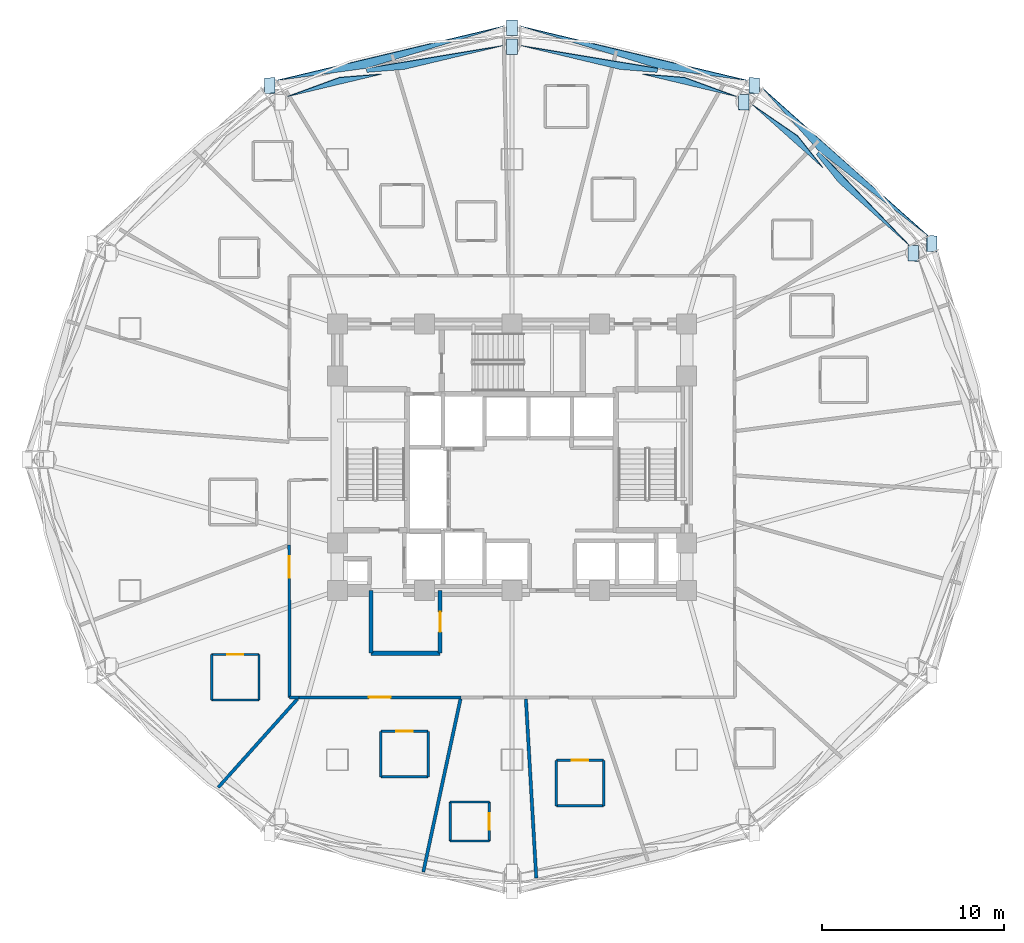
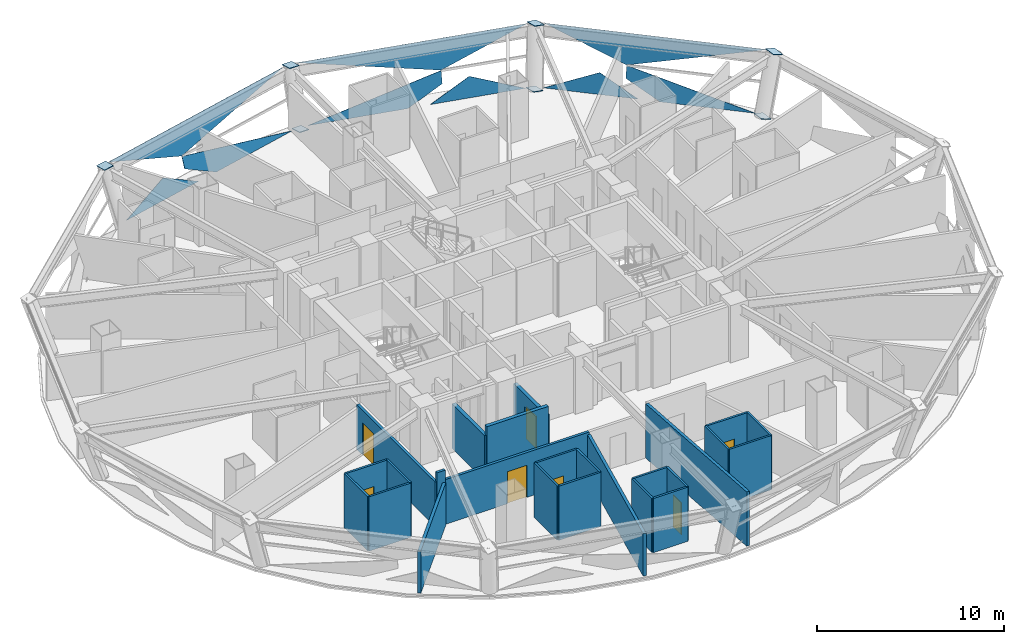
# One storey, part 4 of 12: 25 walls, 16 plates, 7 doors, 7 openings, 3 elements without a shape of their own.
"""IFC4 building model written with IfcOpenShell, lengths in metres."""

from ifc_helpers import new_model, si_unit, direction, frame, frame_2d, origin, place, context, subcontext, project, spatial, polyline, rectangle, outline, extrude, material, layer, layer_set, type_object, element, fill, aggregate, save


model = new_model("IFC4")

# Units and contexts
model_context = context("Model", 3, precision=1e-05, world=origin(), true_north=direction((0.0, 1.0)))
body_context = subcontext(model_context, "Body", "Model", "MODEL_VIEW")
ifc_project = project(units=[si_unit("LENGTHUNIT", "METRE"), si_unit("AREAUNIT", "SQUARE_METRE"), si_unit("VOLUMEUNIT", "CUBIC_METRE"), si_unit("PLANEANGLEUNIT", "RADIAN"), si_unit("MASSUNIT", "GRAM", prefix="KILO")], contexts=[model_context])

# Site, building, storey
site_placement = place(None, origin())
site = spatial("IfcSite", under=ifc_project, at=site_placement, CompositionType="ELEMENT")
building_placement = place(site_placement, origin())
building = spatial("IfcBuilding", under=site, at=building_placement, Name="Vantalir Tower", CompositionType="ELEMENT")
storey_placement = place(building_placement, frame((0.0, 0.0, 38.25)))
storey = spatial("IfcBuildingStorey", under=building, at=storey_placement, Name="L08", CompositionType="ELEMENT", Elevation=38.25)

# Curtain wall, plates
ifc_material_1 = material(Name="Champagne-silver PVDF aluminium and double-silver Low-E glass", Category="aluminium")
ifc_layer_1 = layer(ifc_material_1, 0.18994140625)
ifc_layer_set_1 = layer_set([ifc_layer_1], Name="Champagne-silver PVDF aluminium and double-silver Low-E glass")
curtain_wall_type = type_object("IfcCurtainWallType", Name="CW-DIAMOND-Z1", PredefinedType="USERDEFINED", material=ifc_layer_set_1)
curtain_wall_1_placement = place(storey_placement, origin())
curtain_wall_1 = element("IfcCurtainWall", 1, at=curtain_wall_1_placement, inside=storey, type_object=curtain_wall_type, Name="L08 Quilted Pyramid-Diamond Curtain Wall S02", ObjectType="UNITISED CURTAIN WALL", PredefinedType="USERDEFINED")
ifc_material_2 = material(Name="Double-silver Low-E laminated glass IGU", Category="glass")
ifc_layer_2 = layer(ifc_material_2, 0.028076171875)
ifc_layer_set_2 = layer_set([ifc_layer_2], Name="Double-silver Low-E laminated glass IGU")
plate_type_1 = type_object("IfcPlateType", Name="CWP-IGU-28", PredefinedType="CURTAIN_PANEL", material=ifc_layer_set_2)
plate_1_placement = place(storey_placement, frame((53.34326171875, 36.75, 0.04638671875), z_axis=(-0.632839382096, -0.710007189089, 0.308875554082), x_axis=(-0.746508957015, 0.665375365553, 3.321398e-06)))
plate_1 = element("IfcPlate", 2, at=plate_1_placement, type_object=plate_type_1, Name="CW-L08-S02 Pyramid Diamond Facet 1L", PredefinedType="CURTAIN_PANEL", context=body_context, shape_type="SweptSolid", body=[
    extrude(outline(polyline([(0.0, 0.0), (5.21573136421315, 0.0), (7.159529719141904, -1.0901469576741945), (7.159612707653873, -1.8160908372913154), (0.0, 0.0)])), origin(), (0.0, 0.0, -1.0), 0.028076171875),
])
plate_2_placement = place(storey_placement, frame((48.570068359375, 41.04541015625, 0.03662109375), z_axis=(-0.632834425064, -0.710017007397, 0.308863140664), x_axis=(-0.746516833701, 0.665366528314, 0.0)))
plate_2 = element("IfcPlate", 3, at=plate_2_placement, type_object=plate_type_1, Name="CW-L08-S02 Pyramid Diamond Facet 1L Infill Light", PredefinedType="CURTAIN_PANEL", context=body_context, shape_type="SweptSolid", body=[
    extrude(outline(polyline([(0.0, 0.0), (5.180635540997862, 1.1102230246251565e-16), (2.184001760179632, -1.2249301960583048), (0.0, 0.0)])), origin(), (0.0, 0.0, -1.0), 0.028076171875),
])
plate_3_placement = place(storey_placement, frame((45.276611328125, 45.388916015625, 3.5234375), z_axis=(-0.637842376536, -0.715537949373, 0.284890409986), x_axis=(0.746475626952, -0.665412757591, 2.0035311e-05)))
plate_3 = element("IfcPlate", 4, at=plate_3_placement, type_object=plate_type_1, Name="CW-L08-S02 Pyramid Diamond Facet 2U", PredefinedType="CURTAIN_PANEL", context=body_context, shape_type="SweptSolid", body=[
    extrude(outline(polyline([(0.0, 0.0), (12.185516951692836, 2.358681826242215e-16), (4.610911228247973, -1.8020646943755352), (0.0, 0.0)])), origin(), (0.0, 0.0, -1.0), 0.028076171875),
])
aggregate(curtain_wall_1, [plate_1, plate_2, plate_3])

curtain_wall_2_placement = place(storey_placement, origin())
curtain_wall_2 = element("IfcCurtainWall", 5, at=curtain_wall_2_placement, inside=storey, type_object=curtain_wall_type, Name="L08 Quilted Pyramid-Diamond Curtain Wall S03", ObjectType="UNITISED CURTAIN WALL", PredefinedType="USERDEFINED")
plate_4_placement = place(storey_placement, frame((37.4306640625, 46.43798828125, 0.04638671875), z_axis=(-0.221840435421, -0.928907027377, 0.296510633372), x_axis=(-0.97264740737, 0.232286506145, 1.46911e-07)))
plate_4 = element("IfcPlate", 6, at=plate_4_placement, type_object=plate_type_1, Name="CW-L08-S03 Pyramid Diamond Facet 1L", PredefinedType="CURTAIN_PANEL", context=body_context, shape_type="SweptSolid", body=[
    extrude(outline(polyline([(0.0, 0.0), (5.612501457910148, -5.551115123125783e-17), (-2.0212571770758245, -1.8091414001796593), (-2.0214194503485765, -1.0660063095685186), (0.0, 0.0)])), origin(), (0.0, 0.0, -1.0), 0.028076171875),
])
plate_5_placement = place(storey_placement, frame((43.85546875, 44.934814453125, 0.037109375), z_axis=(-0.221858346166, -0.928861351209, 0.296640294747), x_axis=(-0.972643901488, 0.232301181234, -4.5773632e-05)))
plate_5 = element("IfcPlate", 7, at=plate_5_placement, type_object=plate_type_1, Name="CW-L08-S03 Pyramid Diamond Facet 1L Infill Light", PredefinedType="CURTAIN_PANEL", context=body_context, shape_type="SweptSolid", body=[
    extrude(outline(polyline([(0.0, 0.0), (5.333652051576559, 3.2607380337501546e-17), (3.048711127607468, -1.205012804781245), (0.0, 0.0)])), origin(), (0.0, 0.0, -1.0), 0.028076171875),
])
plate_6_placement = place(storey_placement, frame((31.9716796875, 48.802978515625, 3.523681640625), z_axis=(-0.223516204784, -0.935855604385, 0.272423923214), x_axis=(0.972642333461, -0.232307750187, -1.9040058e-05)))
plate_6 = element("IfcPlate", 8, at=plate_6_placement, type_object=plate_type_1, Name="CW-L08-S03 Pyramid Diamond Facet 2U", PredefinedType="CURTAIN_PANEL", context=body_context, shape_type="SweptSolid", body=[
    extrude(outline(polyline([(0.0, 0.0), (12.822472617576965, -1.169583093568738e-16), (7.880511088236948, -1.795291752713151), (0.0, 0.0)])), origin(), (0.0, 0.0, -1.0), 0.028076171875),
])
aggregate(curtain_wall_2, [plate_4, plate_5, plate_6])

curtain_wall_3_placement = place(storey_placement, origin())
curtain_wall_3 = element("IfcCurtainWall", 9, at=curtain_wall_3_placement, inside=storey, type_object=curtain_wall_type, Name="L08 Quilted Pyramid-Diamond Curtain Wall S04", ObjectType="UNITISED CURTAIN WALL", PredefinedType="USERDEFINED")
plate_7_placement = place(storey_placement, frame((31.0283203125, 47.74169921875, 0.04638671875), z_axis=(0.221847965023, -0.928902365925, 0.296519603052), x_axis=(-0.972645336072, -0.232295179066, -5.15754e-07)))
plate_7 = element("IfcPlate", 10, at=plate_7_placement, type_object=plate_type_1, Name="CW-L08-S04 Pyramid Diamond Facet 1L", PredefinedType="CURTAIN_PANEL", context=body_context, shape_type="SweptSolid", body=[
    extrude(outline(polyline([(0.0, 0.0), (5.612263995469766, 5.551115123125783e-17), (7.633680251756339, -1.0660123662604717), (7.633515751932567, -1.8091474563231686), (0.0, 0.0)])), origin(), (0.0, 0.0, -1.0), 0.028076171875),
])
plate_8_placement = place(storey_placement, frame((24.332763671875, 46.174072265625, 0.036865234375), z_axis=(0.221886907759, -0.928885369005, 0.296543709111), x_axis=(-0.972638499621, -0.23232379766, 4.576907e-05)))
plate_8 = element("IfcPlate", 11, at=plate_8_placement, type_object=plate_type_1, Name="CW-L08-S04 Pyramid Diamond Facet 1L Infill Light", PredefinedType="CURTAIN_PANEL", context=body_context, shape_type="SweptSolid", body=[
    extrude(outline(polyline([(0.0, 0.0), (5.334183690954207, 1.9109063290057016e-17), (2.28522678658751, -1.204974953713183), (0.0, 0.0)])), origin(), (0.0, 0.0, -1.0), 0.028076171875),
])
plate_9_placement = place(storey_placement, frame((18.557861328125, 45.82421875, 3.5234375), z_axis=(0.223540892371, -0.93586735552, 0.272363291049), x_axis=(0.972637195084, 0.232329262852, 1.9041821e-05)))
plate_9 = element("IfcPlate", 12, at=plate_9_placement, type_object=plate_type_1, Name="CW-L08-S04 Pyramid Diamond Facet 2U", PredefinedType="CURTAIN_PANEL", context=body_context, shape_type="SweptSolid", body=[
    extrude(outline(polyline([(0.0, 0.0), (12.821285313177071, 9.503032041835446e-17), (4.941000866685126, -1.795259715985767), (0.0, 0.0)])), origin(), (0.0, 0.0, -1.0), 0.028076171875),
])
aggregate(curtain_wall_3, [plate_7, plate_8, plate_9])

# Plates
ifc_material_3 = material(Name="Steel S460", Category="steel")
ifc_layer_3 = layer(ifc_material_3, 0.035888671875)
ifc_layer_set_3 = layer_set([ifc_layer_3], Name="Steel S460")
plate_type_2 = type_object("IfcPlateType", Name="PLT-KN-Z2", PredefinedType="USERDEFINED", material=ifc_layer_set_3)
plate_10_placement = place(storey_placement, frame((54.298828125, 37.31396484375, 3.610595703125), z_axis=(0.27434706002, 0.141500844937, 0.95116307831), x_axis=(3.6190907e-05, -0.989116189458, 0.147136543534)))
element("IfcPlate", 13, at=plate_10_placement, inside=storey, type_object=plate_type_2, Name="L08 Ring Column Top Cap RC02", ObjectType="FLANGE_PLATE", PredefinedType="USERDEFINED", context=body_context, shape_type="SweptSolid", body=[
    extrude(outline(polyline([(0.0, 0.0), (0.8801686278512584, -1.3877787807814457e-17), (0.8802374462553944, 0.5798330948988739), (3.2896396437213926e-05, 0.5798993464222233), (0.0, 0.0)])), origin(), (0.0, 0.0, -1.0), 0.035888671875),
])
plate_11_placement = place(storey_placement, frame((53.275634765625, 36.786376953125, 0.064453125), z_axis=(0.27442849327, 0.14140574384, 0.951153729789), x_axis=(0.0, -0.989128849887, 0.147051413868)))
element("IfcPlate", 14, at=plate_11_placement, inside=storey, type_object=plate_type_2, Name="L08 Ring Column Base Cap RC02", ObjectType="FLANGE_PLATE", PredefinedType="USERDEFINED", context=body_context, shape_type="SweptSolid", body=[
    extrude(outline(polyline([(0.0, 0.0), (0.8799271482417855, 6.938893903907228e-18), (0.8799535661236623, 0.5801341219652713), (2.641788187675298e-05, 0.5801341219652714), (0.0, 0.0)])), origin(), (0.0, 0.0, -1.0), 0.035888671875),
])
plate_12_placement = place(storey_placement, frame((44.5380859375, 45.991455078125, 3.53173828125), z_axis=(0.159273450131, 0.246104136331, 0.956067320937), x_axis=(-2.6564622e-05, -0.968428737955, 0.24929055096)))
element("IfcPlate", 15, at=plate_12_placement, inside=storey, type_object=plate_type_2, Name="L08 Ring Column Top Cap RC03", ObjectType="FLANGE_PLATE", PredefinedType="USERDEFINED", context=body_context, shape_type="SweptSolid", body=[
    extrude(outline(polyline([(0.0, 0.0), (0.8798653566344404, 6.938893903907228e-18), (0.8799749214050893, 0.580183613612144), (-6.600607578541653e-05, 0.5801362578474125), (0.0, 0.0)])), origin(), (0.0, 0.0, -1.0), 0.035888671875),
])
plate_13_placement = place(storey_placement, frame((43.947265625, 45.07861328125, -0.01416015625), z_axis=(0.159339646496, 0.24610147347, 0.956056976236), x_axis=(1.5695634e-05, -0.96843043808, 0.249283947246)))
element("IfcPlate", 16, at=plate_13_placement, inside=storey, type_object=plate_type_2, Name="L08 Ring Column Base Cap RC03", ObjectType="FLANGE_PLATE", PredefinedType="USERDEFINED", context=body_context, shape_type="SweptSolid", body=[
    extrude(outline(polyline([(0.0, 0.0), (0.8798044954894557, 0.0), (0.8799997526151663, 0.5799049213574097), (-0.00010203642539429597, 0.5799329016836469), (0.0, 0.0)])), origin(), (0.0, 0.0, -1.0), 0.035888671875),
])
for number, where, z_axis, x_axis, name in (
    (17, (31.2099609375, 49.15576171875, 3.471435546875), (0.0, 0.2851838156, 0.958472843287), (0.0, -0.958472843287, 0.2851838156), "L08 Ring Column Top Cap RC04"),
    (18, (31.2099609375, 48.100830078125, -0.07470703125), (0.0, 0.2851838156, 0.958472843287), (0.0, -0.958472843287, 0.2851838156), "L08 Ring Column Base Cap RC04"),
):
    element("IfcPlate", number, at=place(storey_placement, frame(where, z_axis=z_axis, x_axis=x_axis)), inside=storey, type_object=plate_type_2, Name=name, ObjectType="FLANGE_PLATE", PredefinedType="USERDEFINED", context=body_context, shape_type="SweptSolid", body=[
        extrude(outline(polyline([(0.0, 0.0), (0.8800519130848325, 0.0), (0.8800519130848325, 0.5800781250000001), (0.0, 0.5800781250000001), (0.0, 0.0)])), origin(), (0.0, 0.0, -1.0), 0.035888671875),
    ])
plate_14_placement = place(storey_placement, frame((17.89013671875, 45.968505859375, 3.4423828125), z_axis=(-0.159074858089, 0.246240557742, 0.956065257839), x_axis=(-5.432982e-06, -0.968396527266, 0.249415648966)))
element("IfcPlate", 19, at=plate_14_placement, inside=storey, type_object=plate_type_2, Name="L08 Ring Column Top Cap RC05", ObjectType="FLANGE_PLATE", PredefinedType="USERDEFINED", context=body_context, shape_type="SweptSolid", body=[
    extrude(outline(polyline([(0.0, 0.0), (0.8801017932390007, 0.0), (0.8799249650298312, 0.5801459615196206), (5.9596724244995875e-05, 0.5801362763231659), (0.0, 0.0)])), origin(), (0.0, 0.0, -1.0), 0.035888671875),
])

# Wall
ifc_material_4 = material(Name="Moisture-resistant en-suite partition", Category="gypsum")
ifc_layer_4 = layer(ifc_material_4, 0.125)
ifc_layer_set_4 = layer_set([ifc_layer_4], Name="Moisture-resistant en-suite partition")
wall_type_1 = type_object("IfcWallType", Name="WL-BATH-125", PredefinedType="PARTITIONING", material=ifc_layer_set_4)
wall_1_placement = place(storey_placement, frame((14.989990234375, 11.782958984375, 0.0), z_axis=(0.0, 0.0, 1.0), x_axis=(1.0, 0.0, 0.0)))
element("IfcWall", 20, at=wall_1_placement, inside=storey, type_object=wall_type_1, Name="L08 En-suite 14 South Wall", PredefinedType="PARTITIONING", context=body_context, shape_type="SweptSolid", body=[
    extrude(rectangle(XDim=2.60009765625, YDim=0.125, at=frame_2d((1.300048828125, 0.0))), origin(), (0.0, 0.0, 1.0), 3.550048828125),
])

# Wall, opening, door
wall_2_placement = place(storey_placement, frame((14.989990234375, 14.282958984375, 0.0), z_axis=(0.0, 0.0, 1.0), x_axis=(1.0, 0.0, 0.0)))
wall_2 = element("IfcWall", 21, at=wall_2_placement, inside=storey, type_object=wall_type_1, Name="L08 En-suite 14 North Wall", PredefinedType="PARTITIONING", context=body_context, shape_type="SweptSolid", body=[
    extrude(rectangle(XDim=2.60009765625, YDim=0.125, at=frame_2d((1.300048828125, 0.0))), origin(), (0.0, 0.0, 1.0), 3.550048828125),
])
opening_1_placement = place(wall_2_placement, frame((0.85009765625, 0.0, 0.0)))
opening_1 = element("IfcOpeningElement", 22, at=opening_1_placement, cuts=wall_2, Name="Opening D-WC", PredefinedType="OPENING", context=body_context, shape_type="SweptSolid", body=[
    extrude(rectangle(XDim=0.89990234375, YDim=2.10009765625, at=frame_2d((0.449951171875, 1.050048828125))), frame((0.0, 0.072509765625, 0.0), z_axis=(0.0, -1.0, 0.0), x_axis=(1.0, 0.0, 0.0)), (0.0, 0.0, 1.0), 0.14501953125),
])
ifc_material_5 = material(Name="Moisture-resistant hardwood door", Category="wood")
door_type_1 = type_object("IfcDoorType", Name="DR-ENSUITE-900", OperationType="NOTDEFINED", PredefinedType="DOOR", material=ifc_material_5)
door_1_placement = place(opening_1_placement, frame((0.89990234375, 0.0, 0.0), z_axis=(0.0, 0.0, 1.0), x_axis=(-1.0, 0.0, 0.0)))
door_1 = element("IfcDoor", 23, at=door_1_placement, inside=storey, type_object=door_type_1, Name="L08 En-suite 14 Door", OperationType="SINGLE_SWING_LEFT", OverallHeight=2.10009765625, OverallWidth=0.89990234375, PredefinedType="DOOR", context=body_context, shape_type="SweptSolid", body=[
    extrude(rectangle(XDim=0.89990234375, YDim=2.10009765625, at=frame_2d((0.449951171875, 1.050048828125))), frame((0.0, 0.02490234375, 0.0), z_axis=(0.0, -1.0, 0.0), x_axis=(1.0, 0.0, 0.0)), (0.0, 0.0, 1.0), 0.050048828125),
])
fill(opening_1, door_1)

# Walls
for number, where, z_axis, x_axis, name in (
    (24, (14.989990234375, 11.782958984375, 0.0), (0.0, 0.0, 1.0), (0.0, 1.0, 0.0), "L08 En-suite 14 West Wall"),
    (25, (17.590087890625, 11.782958984375, 0.0), (0.0, 0.0, 1.0), (0.0, 1.0, 0.0), "L08 En-suite 14 East Wall"),
):
    element("IfcWall", number, at=place(storey_placement, frame(where, z_axis=z_axis, x_axis=x_axis)), inside=storey, type_object=wall_type_1, Name=name, PredefinedType="PARTITIONING", context=body_context, shape_type="SweptSolid", body=[
        extrude(rectangle(XDim=2.5, YDim=0.125, at=frame_2d((1.25, 0.0))), origin(), (0.0, 0.0, 1.0), 3.550048828125),
    ])
wall_3_placement = place(storey_placement, frame((24.291015625, 7.56103515625, 0.0), z_axis=(0.0, 0.0, 1.0), x_axis=(1.0, 0.0, 0.0)))
element("IfcWall", 26, at=wall_3_placement, inside=storey, type_object=wall_type_1, Name="L08 En-suite 15 South Wall", PredefinedType="PARTITIONING", context=body_context, shape_type="SweptSolid", body=[
    extrude(rectangle(XDim=2.60009765625, YDim=0.125, at=frame_2d((1.300048828125, 0.0))), origin(), (0.0, 0.0, 1.0), 3.550048828125),
])

# Wall, opening, door
wall_4_placement = place(storey_placement, frame((24.291015625, 10.06103515625, 0.0), z_axis=(0.0, 0.0, 1.0), x_axis=(1.0, 0.0, 0.0)))
wall_4 = element("IfcWall", 27, at=wall_4_placement, inside=storey, type_object=wall_type_1, Name="L08 En-suite 15 North Wall", PredefinedType="PARTITIONING", context=body_context, shape_type="SweptSolid", body=[
    extrude(rectangle(XDim=2.60009765625, YDim=0.125, at=frame_2d((1.300048828125, 0.0))), origin(), (0.0, 0.0, 1.0), 3.550048828125),
])
opening_2_placement = place(wall_4_placement, frame((0.85009765625, 0.0, 0.0)))
opening_2 = element("IfcOpeningElement", 28, at=opening_2_placement, cuts=wall_4, Name="Opening D-WC", PredefinedType="OPENING", context=body_context, shape_type="SweptSolid", body=[
    extrude(rectangle(XDim=0.89990234375, YDim=2.10009765625, at=frame_2d((0.449951171875, 1.050048828125))), frame((0.0, 0.072509765625, 0.0), z_axis=(0.0, -1.0, 0.0), x_axis=(1.0, 0.0, 0.0)), (0.0, 0.0, 1.0), 0.14501953125),
])
door_2_placement = place(opening_2_placement, frame((0.89990234375, 0.0, 0.0), z_axis=(0.0, 0.0, 1.0), x_axis=(-1.0, 0.0, 0.0)))
door_2 = element("IfcDoor", 29, at=door_2_placement, inside=storey, type_object=door_type_1, Name="L08 En-suite 15 Door", OperationType="SINGLE_SWING_RIGHT", OverallHeight=2.10009765625, OverallWidth=0.89990234375, PredefinedType="DOOR", context=body_context, shape_type="SweptSolid", body=[
    extrude(rectangle(XDim=0.89990234375, YDim=2.10009765625, at=frame_2d((0.449951171875, 1.050048828125))), frame((0.0, 0.02490234375, 0.0), z_axis=(0.0, -1.0, 0.0), x_axis=(1.0, 0.0, 0.0)), (0.0, 0.0, 1.0), 0.050048828125),
])
fill(opening_2, door_2)

# Walls
for number, where, z_axis, x_axis, name in (
    (30, (24.291015625, 7.56103515625, 0.0), (0.0, 0.0, 1.0), (0.0, 1.0, 0.0), "L08 En-suite 15 West Wall"),
    (31, (26.89111328125, 7.56103515625, 0.0), (0.0, 0.0, 1.0), (0.0, 1.0, 0.0), "L08 En-suite 15 East Wall"),
):
    element("IfcWall", number, at=place(storey_placement, frame(where, z_axis=z_axis, x_axis=x_axis)), inside=storey, type_object=wall_type_1, Name=name, PredefinedType="PARTITIONING", context=body_context, shape_type="SweptSolid", body=[
        extrude(rectangle(XDim=2.5, YDim=0.125, at=frame_2d((1.25, 0.0))), origin(), (0.0, 0.0, 1.0), 3.550048828125),
    ])
for number, where, z_axis, x_axis, name in (
    (32, (28.10009765625, 4.030029296875, 0.0), (0.0, 0.0, 1.0), (1.0, 0.0, 0.0), "L08 En-suite 16 South Wall"),
    (33, (28.10009765625, 6.179931640625, 0.0), (0.0, 0.0, 1.0), (1.0, 0.0, 0.0), "L08 En-suite 16 North Wall"),
    (34, (28.10009765625, 4.030029296875, 0.0), (0.0, 0.0, 1.0), (0.0, 1.0, 0.0), "L08 En-suite 16 West Wall"),
):
    element("IfcWall", number, at=place(storey_placement, frame(where, z_axis=z_axis, x_axis=x_axis)), inside=storey, type_object=wall_type_1, Name=name, PredefinedType="PARTITIONING", context=body_context, shape_type="SweptSolid", body=[
        extrude(rectangle(XDim=2.14990234375, YDim=0.125, at=frame_2d((1.074951171875, 0.0))), origin(), (0.0, 0.0, 1.0), 3.550048828125),
    ])

# Wall, opening, door
wall_5_placement = place(storey_placement, frame((30.25, 4.030029296875, 0.0), z_axis=(0.0, 0.0, 1.0), x_axis=(0.0, 1.0, 0.0)))
wall_5 = element("IfcWall", 35, at=wall_5_placement, inside=storey, type_object=wall_type_1, Name="L08 En-suite 16 East Wall", PredefinedType="PARTITIONING", context=body_context, shape_type="SweptSolid", body=[
    extrude(rectangle(XDim=2.14990234375, YDim=0.125, at=frame_2d((1.074951171875, 0.0))), origin(), (0.0, 0.0, 1.0), 3.550048828125),
])
opening_3_placement = place(wall_5_placement, frame((0.625, 0.0, 0.0)))
opening_3 = element("IfcOpeningElement", 36, at=opening_3_placement, cuts=wall_5, Name="Opening D-WC", PredefinedType="OPENING", context=body_context, shape_type="SweptSolid", body=[
    extrude(rectangle(XDim=0.89990234375, YDim=2.10009765625, at=frame_2d((0.449951171875, 1.050048828125))), frame((0.0, 0.072509765625, 0.0), z_axis=(0.0, -1.0, 0.0), x_axis=(1.0, 0.0, 0.0)), (0.0, 0.0, 1.0), 0.14501953125),
])
door_3_placement = place(opening_3_placement, origin())
door_3 = element("IfcDoor", 37, at=door_3_placement, inside=storey, type_object=door_type_1, Name="L08 En-suite 16 Door", OperationType="SINGLE_SWING_LEFT", OverallHeight=2.10009765625, OverallWidth=0.89990234375, PredefinedType="DOOR", context=body_context, shape_type="SweptSolid", body=[
    extrude(rectangle(XDim=0.89990234375, YDim=2.10009765625, at=frame_2d((0.449951171875, 1.050048828125))), frame((0.0, 0.02490234375, 0.0), z_axis=(0.0, -1.0, 0.0), x_axis=(1.0, 0.0, 0.0)), (0.0, 0.0, 1.0), 0.050048828125),
])
fill(opening_3, door_3)

# Wall
wall_6_placement = place(storey_placement, frame((33.93896484375, 5.966064453125, 0.0), z_axis=(0.0, 0.0, 1.0), x_axis=(1.0, 0.0, 0.0)))
element("IfcWall", 38, at=wall_6_placement, inside=storey, type_object=wall_type_1, Name="L08 En-suite 17 South Wall", PredefinedType="PARTITIONING", context=body_context, shape_type="SweptSolid", body=[
    extrude(rectangle(XDim=2.60009765625, YDim=0.125, at=frame_2d((1.300048828125, 0.0))), origin(), (0.0, 0.0, 1.0), 3.550048828125),
])

# Wall, opening, door
wall_7_placement = place(storey_placement, frame((33.93896484375, 8.466064453125, 0.0), z_axis=(0.0, 0.0, 1.0), x_axis=(1.0, 0.0, 0.0)))
wall_7 = element("IfcWall", 39, at=wall_7_placement, inside=storey, type_object=wall_type_1, Name="L08 En-suite 17 North Wall", PredefinedType="PARTITIONING", context=body_context, shape_type="SweptSolid", body=[
    extrude(rectangle(XDim=2.60009765625, YDim=0.125, at=frame_2d((1.300048828125, 0.0))), origin(), (0.0, 0.0, 1.0), 3.550048828125),
])
opening_4_placement = place(wall_7_placement, frame((0.85009765625, 0.0, 0.0)))
opening_4 = element("IfcOpeningElement", 40, at=opening_4_placement, cuts=wall_7, Name="Opening D-WC", PredefinedType="OPENING", context=body_context, shape_type="SweptSolid", body=[
    extrude(rectangle(XDim=0.89990234375, YDim=2.10009765625, at=frame_2d((0.449951171875, 1.050048828125))), frame((0.0, 0.072509765625, 0.0), z_axis=(0.0, -1.0, 0.0), x_axis=(1.0, 0.0, 0.0)), (0.0, 0.0, 1.0), 0.14501953125),
])
door_4_placement = place(opening_4_placement, frame((0.89990234375, 0.0, 0.0), z_axis=(0.0, 0.0, 1.0), x_axis=(-1.0, 0.0, 0.0)))
door_4 = element("IfcDoor", 41, at=door_4_placement, inside=storey, type_object=door_type_1, Name="L08 En-suite 17 Door", OperationType="SINGLE_SWING_RIGHT", OverallHeight=2.10009765625, OverallWidth=0.89990234375, PredefinedType="DOOR", context=body_context, shape_type="SweptSolid", body=[
    extrude(rectangle(XDim=0.89990234375, YDim=2.10009765625, at=frame_2d((0.449951171875, 1.050048828125))), frame((0.0, 0.02490234375, 0.0), z_axis=(0.0, -1.0, 0.0), x_axis=(1.0, 0.0, 0.0)), (0.0, 0.0, 1.0), 0.050048828125),
])
fill(opening_4, door_4)

# Walls
for number, where, z_axis, x_axis, name in (
    (42, (33.93896484375, 5.966064453125, 0.0), (0.0, 0.0, 1.0), (0.0, 1.0, 0.0), "L08 En-suite 17 West Wall"),
    (43, (36.5390625, 5.966064453125, 0.0), (0.0, 0.0, 1.0), (0.0, 1.0, 0.0), "L08 En-suite 17 East Wall"),
):
    element("IfcWall", number, at=place(storey_placement, frame(where, z_axis=z_axis, x_axis=x_axis)), inside=storey, type_object=wall_type_1, Name=name, PredefinedType="PARTITIONING", context=body_context, shape_type="SweptSolid", body=[
        extrude(rectangle(XDim=2.5, YDim=0.125, at=frame_2d((1.25, 0.0))), origin(), (0.0, 0.0, 1.0), 3.550048828125),
    ])

# Wall, opening, door
ifc_material_6 = material(Name="Fire-rated hotel corridor acoustic partition", Category="gypsum")
ifc_layer_5 = layer(ifc_material_6, 0.159912109375)
ifc_layer_set_5 = layer_set([ifc_layer_5], Name="Fire-rated hotel corridor acoustic partition")
wall_type_2 = type_object("IfcWallType", Name="WL-CORR-160", PredefinedType="PARTITIONING", material=ifc_layer_set_5)
wall_8_placement = place(storey_placement, frame((28.68798828125, 11.924072265625, 0.0), z_axis=(0.0, 0.0, 1.0), x_axis=(-0.999999765267, -0.000685175381, 0.0)))
wall_8 = element("IfcWall", 44, at=wall_8_placement, inside=storey, type_object=wall_type_2, Name="L08 Corridor Partition 24", PredefinedType="PARTITIONING", context=body_context, shape_type="SweptSolid", body=[
    extrude(rectangle(XDim=8.907958984375, YDim=0.159912109375, at=frame_2d((4.4541015625, 0.0))), origin(), (0.0, 0.0, 1.0), 2.927978515625),
])
opening_5_placement = place(wall_8_placement, frame((3.85400390625, 0.0, 0.0)))
opening_5 = element("IfcOpeningElement", 45, at=opening_5_placement, cuts=wall_8, Name="Opening D-STE", PredefinedType="OPENING", context=body_context, shape_type="SweptSolid", body=[
    extrude(rectangle(XDim=1.199951171875, YDim=2.10009765625, at=frame_2d((0.60009765625, 1.050048828125))), frame((0.0, 0.08984375, 0.0), z_axis=(0.0, -1.0, 0.0), x_axis=(1.0, 0.0, 0.0)), (0.0, 0.0, 1.0), 0.179931640625),
])
ifc_material_7 = material(Name="Solid-core teak veneer suite entrance door", Category="wood")
door_type_2 = type_object("IfcDoorType", Name="DR-SUITE-ENTRY-1200", OperationType="NOTDEFINED", PredefinedType="DOOR", material=ifc_material_7)
door_5_placement = place(opening_5_placement, origin())
door_5 = element("IfcDoor", 46, at=door_5_placement, inside=storey, type_object=door_type_2, Name="L08 Corner Panorama Hotel Suite 15 Door", OperationType="SINGLE_SWING_LEFT", OverallHeight=2.10009765625, OverallWidth=1.199951171875, PredefinedType="DOOR", context=body_context, shape_type="SweptSolid", body=[
    extrude(rectangle(XDim=1.199951171875, YDim=2.10009765625, at=frame_2d((0.60009765625, 1.050048828125))), frame((0.0, 0.02490234375, 0.0), z_axis=(0.0, -1.0, 0.0), x_axis=(1.0, 0.0, 0.0)), (0.0, 0.0, 1.0), 0.050048828125),
])
fill(opening_5, door_5)

# Wall
wall_9_placement = place(storey_placement, frame((19.780029296875, 11.91796875, 0.0), z_axis=(0.0, 0.0, 1.0), x_axis=(-0.999998173792, -0.001911128856, 0.0)))
element("IfcWall", 47, at=wall_9_placement, inside=storey, type_object=wall_type_2, Name="L08 Corridor Partition 25", PredefinedType="PARTITIONING", context=body_context, shape_type="SweptSolid", body=[
    extrude(rectangle(XDim=0.510986328125, YDim=0.159912109375, at=frame_2d((0.25537109375, 0.0))), origin(), (0.0, 0.0, 1.0), 3.550048828125),
])

# Wall, opening, door
wall_10_placement = place(storey_placement, frame((19.26904296875, 11.9169921875, 0.0), z_axis=(0.0, 0.0, 1.0), x_axis=(-0.001805419148, 0.99999837023, 0.0)))
wall_10 = element("IfcWall", 48, at=wall_10_placement, inside=storey, type_object=wall_type_2, Name="L08 Corridor Partition 26", PredefinedType="PARTITIONING", context=body_context, shape_type="SweptSolid", body=[
    extrude(rectangle(XDim=8.384033203125, YDim=0.159912109375, at=frame_2d((4.19189453125, 0.0))), origin(), (0.0, 0.0, 1.0), 2.927978515625),
])
opening_6_placement = place(wall_10_placement, frame((6.575927734375, 0.0, 0.0)))
opening_6 = element("IfcOpeningElement", 49, at=opening_6_placement, cuts=wall_10, Name="Opening D-STE", PredefinedType="OPENING", context=body_context, shape_type="SweptSolid", body=[
    extrude(rectangle(XDim=1.199951171875, YDim=2.10009765625, at=frame_2d((0.60009765625, 1.050048828125))), frame((0.0, 0.08984375, 0.0), z_axis=(0.0, -1.0, 0.0), x_axis=(1.0, 0.0, 0.0)), (0.0, 0.0, 1.0), 0.179931640625),
])
door_6_placement = place(opening_6_placement, origin())
door_6 = element("IfcDoor", 50, at=door_6_placement, inside=storey, type_object=door_type_2, Name="L08 Executive Club Hotel Suite 14 Door", OperationType="SINGLE_SWING_RIGHT", OverallHeight=2.10009765625, OverallWidth=1.199951171875, PredefinedType="DOOR", context=body_context, shape_type="SweptSolid", body=[
    extrude(rectangle(XDim=1.199951171875, YDim=2.10009765625, at=frame_2d((0.60009765625, 1.050048828125))), frame((0.0, 0.02490234375, 0.0), z_axis=(0.0, -1.0, 0.0), x_axis=(1.0, 0.0, 0.0)), (0.0, 0.0, 1.0), 0.050048828125),
])
fill(opening_6, door_6)

# Walls
ifc_material_8 = material(Name="Concrete blockwork with fireboard lining", Category="masonry")
ifc_layer_6 = layer(ifc_material_8, 0.219970703125)
ifc_layer_set_6 = layer_set([ifc_layer_6], Name="Concrete blockwork with fireboard lining")
wall_type_3 = type_object("IfcWallType", Name="WL-FFL-220", PredefinedType="PARTITIONING", material=ifc_layer_set_6)
wall_11_placement = place(storey_placement, frame((23.75, 14.35009765625, 0.0), z_axis=(0.0, 0.0, 1.0), x_axis=(0.0, 1.0, 0.0)))
element("IfcWall", 51, at=wall_11_placement, inside=storey, type_object=wall_type_3, Name="L08 Firefighting Lobby West Outer W", PredefinedType="PARTITIONING", context=body_context, shape_type="SweptSolid", body=[
    extrude(rectangle(XDim=3.449951171875, YDim=0.219970703125, at=frame_2d((1.72509765625, 0.0))), origin(), (0.0, 0.0, 1.0), 2.927978515625),
])
wall_12_placement = place(storey_placement, frame((23.75, 14.35009765625, 0.0), z_axis=(0.0, 0.0, 1.0), x_axis=(1.0, 0.0, 0.0)))
element("IfcWall", 52, at=wall_12_placement, inside=storey, type_object=wall_type_3, Name="L08 Firefighting Lobby West South Wall", PredefinedType="PARTITIONING", context=body_context, shape_type="SweptSolid", body=[
    extrude(rectangle(XDim=3.800048828125, YDim=0.219970703125, at=frame_2d((1.89990234375, 0.0))), origin(), (0.0, 0.0, 1.0), 3.550048828125),
])

# Wall, opening, door
wall_13_placement = place(storey_placement, frame((27.550048828125, 14.35009765625, 0.0), z_axis=(0.0, 0.0, 1.0), x_axis=(0.0, 1.0, 0.0)))
wall_13 = element("IfcWall", 53, at=wall_13_placement, inside=storey, type_object=wall_type_3, Name="L08 Firefighting Lobby West East Wall", PredefinedType="PARTITIONING", context=body_context, shape_type="SweptSolid", body=[
    extrude(rectangle(XDim=3.449951171875, YDim=0.219970703125, at=frame_2d((1.72509765625, 0.0))), origin(), (0.0, 0.0, 1.0), 2.927978515625),
])
opening_7_placement = place(wall_13_placement, frame((1.175048828125, 0.0, 0.0)))
opening_7 = element("IfcOpeningElement", 54, at=opening_7_placement, cuts=wall_13, Name="Opening D-FFL", PredefinedType="OPENING", context=body_context, shape_type="SweptSolid", body=[
    extrude(rectangle(XDim=1.10009765625, YDim=2.10009765625, at=frame_2d((0.550048828125, 1.050048828125))), frame((0.0, 0.119873046875, 0.0), z_axis=(0.0, -1.0, 0.0), x_axis=(1.0, 0.0, 0.0)), (0.0, 0.0, 1.0), 0.239990234375),
])
ifc_material_9 = material(Name="Fire-rated acoustic steel door", Category="steel")
door_type_3 = type_object("IfcDoorType", Name="DR-FIRE-LOBBY-1100", OperationType="NOTDEFINED", PredefinedType="DOOR", material=ifc_material_9)
door_7_placement = place(opening_7_placement, origin())
door_7 = element("IfcDoor", 55, at=door_7_placement, inside=storey, type_object=door_type_3, Name="L08 Firefighting Lobby West Access Door", OperationType="SINGLE_SWING_LEFT", OverallHeight=2.10009765625, OverallWidth=1.10009765625, PredefinedType="DOOR", context=body_context, shape_type="SweptSolid", body=[
    extrude(rectangle(XDim=1.10009765625, YDim=2.10009765625, at=frame_2d((0.550048828125, 1.050048828125))), frame((0.0, 0.02490234375, 0.0), z_axis=(0.0, -1.0, 0.0), x_axis=(1.0, 0.0, 0.0)), (0.0, 0.0, 1.0), 0.050048828125),
])
fill(opening_7, door_7)

# Walls
ifc_material_10 = material(Name="Twin-stud acoustic fire-rated gypsum partition", Category="gypsum")
ifc_layer_7 = layer(ifc_material_10, 0.179931640625)
ifc_layer_set_7 = layer_set([ifc_layer_7], Name="Twin-stud acoustic fire-rated gypsum partition")
wall_type_4 = type_object("IfcWallType", Name="WL-GUEST-180", PredefinedType="PARTITIONING", material=ifc_layer_set_7)
wall_14_placement = place(storey_placement, frame((19.708984375, 11.837890625, 0.0), z_axis=(0.0, 0.0, 1.0), x_axis=(-0.667188622358, -0.744888811969, 0.0)))
element("IfcWall", 56, at=wall_14_placement, inside=storey, type_object=wall_type_4, Name="L08 Radial Suite Partition 15", PredefinedType="PARTITIONING", context=body_context, shape_type="SweptSolid", body=[
    extrude(rectangle(XDim=6.52294921875, YDim=0.179931640625, at=frame_2d((3.261474609375, 0.0))), origin(), (0.0, 0.0, 1.0), 2.77490234375),
])
wall_15_placement = place(storey_placement, frame((28.669921875, 11.837890625, 0.0), z_axis=(0.0, 0.0, 1.0), x_axis=(-0.210223217704, -0.977653414426, 0.0)))
element("IfcWall", 57, at=wall_15_placement, inside=storey, type_object=wall_type_4, Name="L08 Radial Suite Partition 16", PredefinedType="PARTITIONING", context=body_context, shape_type="SweptSolid", body=[
    extrude(rectangle(XDim=9.727294921875, YDim=0.179931640625, at=frame_2d((4.86376953125, 0.0))), origin(), (0.0, 0.0, 1.0), 2.77490234375),
])
wall_16_placement = place(storey_placement, frame((32.262939453125, 11.837890625, 0.0), z_axis=(0.0, 0.0, 1.0), x_axis=(0.057894943372, -0.998322681067, 0.0)))
element("IfcWall", 58, at=wall_16_placement, inside=storey, type_object=wall_type_4, Name="L08 Radial Suite Partition 17", PredefinedType="PARTITIONING", context=body_context, shape_type="SweptSolid", body=[
    extrude(rectangle(XDim=9.863525390625, YDim=0.179931640625, at=frame_2d((4.931640625, 0.0))), origin(), (0.0, 0.0, 1.0), 3.550048828125),
])

save(model, "model.ifc")
